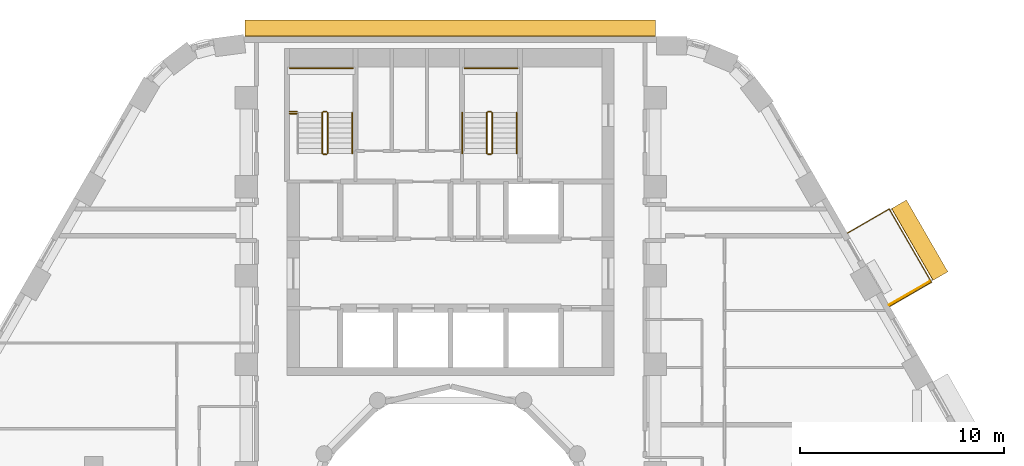
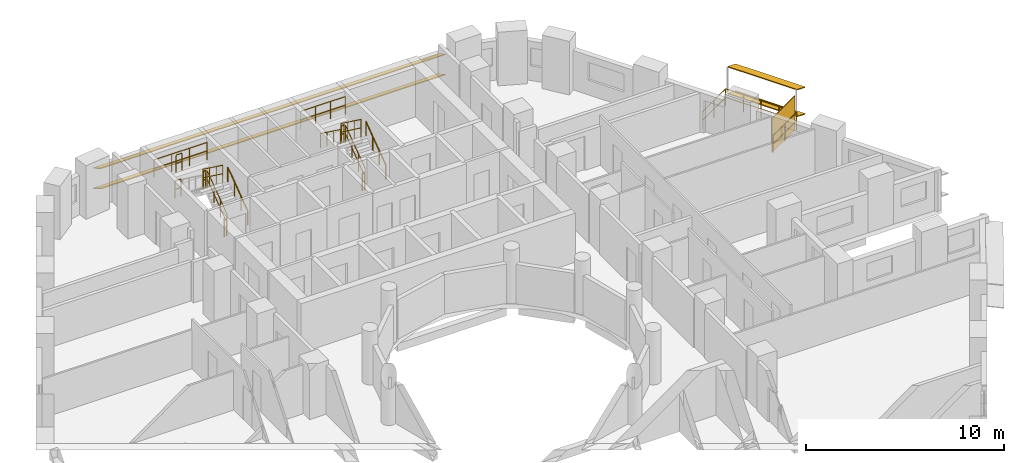
# One storey, part 13 of 13: 16 railings, 5 shading devices.
"""IFC4 building model written with IfcOpenShell, lengths in metres."""

from ifc_helpers import new_model, si_unit, direction, frame, origin, origin_2d, place, context, subcontext, project, spatial, rectangle, circle, extrude, material, layer, layer_set, material_profile, profile_set, type_object, element, save


model = new_model("IFC4")

# Units and contexts
model_context = context("Model", 3, precision=1e-05, world=origin(), true_north=direction((0.0, 1.0)))
body_context = subcontext(model_context, "Body", "Model", "MODEL_VIEW")
ifc_project = project(units=[si_unit("LENGTHUNIT", "METRE"), si_unit("AREAUNIT", "SQUARE_METRE"), si_unit("VOLUMEUNIT", "CUBIC_METRE"), si_unit("PLANEANGLEUNIT", "RADIAN"), si_unit("MASSUNIT", "GRAM", prefix="KILO")], contexts=[model_context])

# Site, building, storey
site_placement = place(None, origin())
site = spatial("IfcSite", under=ifc_project, at=site_placement, CompositionType="ELEMENT")
building_placement = place(site_placement, origin())
building = spatial("IfcBuilding", under=site, at=building_placement, Name="Nakaniwa Court", CompositionType="ELEMENT")
storey_placement = place(building_placement, frame((0.0, 0.0, 64.5)))
storey = spatial("IfcBuildingStorey", under=building, at=storey_placement, Name="L17", CompositionType="ELEMENT", Elevation=64.5)

# Railing
ifc_material_1 = material(Name="Black powder-coated steel flat bar balustrade S275", Category="steel")
railing_type_1 = type_object("IfcRailingType", Name="Black metal balcony guard 1100", PredefinedType="GUARDRAIL", material=ifc_material_1)
railing_1_placement = place(storey_placement, frame((101.480712890625, 90.794677734375, -0.050048828125)))
element("IfcRailing", 1, at=railing_1_placement, inside=storey, type_object=railing_type_1, Name="L17 balcony guard 01", PredefinedType="GUARDRAIL", context=body_context, shape_type="SweptSolid", body=[
    extrude(circle(Radius=0.02392578125, at=origin_2d()), frame((0.0, 0.0, 1.076171875), z_axis=(0.866025363618, 0.50000006957, 0.0), x_axis=(-0.50000006957, 0.866025363618, 0.0)), (0.0, 0.0, 1.0), 2.35986328125),
    extrude(circle(Radius=0.02392578125, at=origin_2d()), frame((0.0, 0.0, 0.550048828125), z_axis=(0.866025363618, 0.50000006957, 0.0), x_axis=(-0.50000006957, 0.866025363618, 0.0)), (0.0, 0.0, 1.0), 2.35986328125),
    extrude(circle(Radius=0.02392578125, at=origin_2d()), frame((2.043701171875, 1.179931640625, 1.076171875), z_axis=(-0.500000159503, 0.866025311695, 0.0), x_axis=(-0.866025311695, -0.500000159503, 0.0)), (0.0, 0.0, 1.0), 4.134765625),
    extrude(circle(Radius=0.02392578125, at=origin_2d()), frame((2.043701171875, 1.179931640625, 0.550048828125), z_axis=(-0.500000159503, 0.866025311695, 0.0), x_axis=(-0.866025311695, -0.500000159503, 0.0)), (0.0, 0.0, 1.0), 4.134765625),
    extrude(circle(Radius=0.02392578125, at=origin_2d()), frame((-0.023681640625, 4.7607421875, 1.076171875), z_axis=(-0.866006432019, -0.500032858622, 0.0), x_axis=(0.500032858622, -0.866006432019, 0.0)), (0.0, 0.0, 1.0), 2.360107421875),
    extrude(circle(Radius=0.02392578125, at=origin_2d()), frame((-0.023681640625, 4.7607421875, 0.550048828125), z_axis=(-0.866006432019, -0.500032858622, 0.0), x_axis=(0.500032858622, -0.866006432019, 0.0)), (0.0, 0.0, 1.0), 2.360107421875),
    extrude(circle(Radius=0.02099609375, at=origin_2d()), origin(), (0.0, 0.0, 1.0), 1.052001953125),
    extrude(circle(Radius=0.02099609375, at=origin_2d()), frame((1.02197265625, 0.58984375, 0.0)), (0.0, 0.0, 1.0), 1.052001953125),
    extrude(circle(Radius=0.02099609375, at=origin_2d()), frame((2.043701171875, 1.179931640625, 0.0)), (0.0, 0.0, 1.0), 1.052001953125),
    extrude(circle(Radius=0.02099609375, at=origin_2d()), frame((1.52685546875, 2.0751953125, 0.0)), (0.0, 0.0, 1.0), 1.052001953125),
    extrude(circle(Radius=0.02099609375, at=origin_2d()), frame((1.010009765625, 2.97021484375, 0.0)), (0.0, 0.0, 1.0), 1.052001953125),
    extrude(circle(Radius=0.02099609375, at=origin_2d()), frame((0.4931640625, 3.865478515625, 0.0)), (0.0, 0.0, 1.0), 1.052001953125),
    extrude(circle(Radius=0.02099609375, at=origin_2d()), frame((-0.023681640625, 4.7607421875, 0.0)), (0.0, 0.0, 1.0), 1.052001953125),
    extrude(circle(Radius=0.02099609375, at=origin_2d()), frame((-1.045654296875, 4.170654296875, 0.0)), (0.0, 0.0, 1.0), 1.052001953125),
    extrude(circle(Radius=0.02099609375, at=origin_2d()), frame((-2.067626953125, 3.58056640625, 0.0)), (0.0, 0.0, 1.0), 1.052001953125),
])

# Shading devices
ifc_material_2 = material(Name="Black powder-coated aluminium slat screen", Category="aluminium")
ifc_layer = layer(ifc_material_2, 0.0400390625)
ifc_layer_set = layer_set([ifc_layer], Name="Black powder-coated aluminium slat screen")
shading_device_type_1 = type_object("IfcShadingDeviceType", Name="Koshi screen black metal", PredefinedType="USERDEFINED", material=ifc_layer_set)
shading_device_placement = place(storey_placement, frame((102.44091796875, 91.44140625, -0.050048828125), z_axis=(0.0, 0.0, 1.0), x_axis=(-0.500004534492, 0.866022785779, 0.0)))
element("IfcShadingDevice", 2, at=shading_device_placement, inside=storey, type_object=shading_device_type_1, Name="L17 balcony SCREEN 01 W", ObjectType="KOSHI SCREEN", PredefinedType="USERDEFINED", context=body_context, shape_type="SweptSolid", body=[
    extrude(rectangle(XDim=0.0400390625, YDim=2.31005859375, at=origin_2d()), origin(), (0.0, 0.0, 1.0), 2.10009765625),
])
ifc_material_3 = material(Name="Perforated charcoal ceramic louvre blade")
ifc_material_profile = material_profile(ifc_material_3, rectangle(XDim=0.89990234375, YDim=0.050048828125, at=origin_2d()), Name="Perforated ceramic louvre blade")
ifc_profile_set = profile_set([ifc_material_profile], Name="Perforated charcoal ceramic louvre blade")
shading_device_type_2 = type_object("IfcShadingDeviceType", Name="Perforated ceramic louvre blade", PredefinedType="JALOUSIE", material=ifc_profile_set)
for number, where, z_axis, x_axis, name in (
    (3, (103.959228515625, 92.27197265625, 0.5), (-0.499998693927, 0.866026157845, 0.0), (-0.800103841852, -0.461938559601, 0.382683432365), "L17 perforated ceramic louvre blade 01 1"),
    (4, (103.959228515625, 92.27197265625, 2.14990234375), (-0.499998693927, 0.866026157845, 0.0), (-0.800103841852, -0.461938559601, 0.382683432365), "L17 perforated ceramic louvre blade 01 2"),
):
    element("IfcShadingDevice", number, at=place(storey_placement, frame(where, z_axis=z_axis, x_axis=x_axis)), inside=storey, type_object=shading_device_type_2, Name=name, PredefinedType="JALOUSIE", context=body_context, shape_type="SweptSolid", body=[
        extrude(rectangle(XDim=0.89990234375, YDim=0.050048828125, at=origin_2d()), origin(), (0.0, 0.0, 1.0), 4.0546875),
    ])
for number, where, z_axis, x_axis, name in (
    (5, (90.02880859375, 104.402099609375, 0.550048828125), (-1.0, 0.0, 0.0), (0.0, -0.866025403784, 0.5), "L17 perforated ceramic louvre blade w08 1"),
    (6, (90.02880859375, 104.402099609375, 1.793212890625), (-1.0, 0.0, 0.0), (0.0, -0.866025403784, 0.5), "L17 perforated ceramic louvre blade w08 2"),
):
    element("IfcShadingDevice", number, at=place(storey_placement, frame(where, z_axis=z_axis, x_axis=x_axis)), inside=storey, type_object=shading_device_type_2, Name=name, PredefinedType="JALOUSIE", context=body_context, shape_type="SweptSolid", body=[
        extrude(rectangle(XDim=0.89990234375, YDim=0.050048828125, at=origin_2d()), origin(), (0.0, 0.0, 1.0), 20.090576171875),
    ])

# Railings
ifc_material_4 = material(Name="Black powder coated steel guard", Category="steel")
railing_type_2 = type_object("IfcRailingType", Name="Stair guard 1100", PredefinedType="GUARDRAIL", material=ifc_material_4)
railing_2_placement = place(storey_placement, frame((73.97509765625, 98.27490234375, 0.183349609375)))
element("IfcRailing", 7, at=railing_2_placement, inside=storey, type_object=railing_type_2, Name="L17 ST1 stair guard 1", PredefinedType="GUARDRAIL", context=body_context, shape_type="SweptSolid", body=[
    extrude(circle(Radius=0.02392578125, at=origin_2d()), frame((0.0, 0.0, 1.076171875), z_axis=(0.0, 0.806426902644, 0.591333789573), x_axis=(-1.0, 0.0, 0.0)), (0.0, 0.0, 1.0), 2.47998046875),
    extrude(circle(Radius=0.02392578125, at=origin_2d()), frame((0.0, 0.0, 0.550048828125), z_axis=(0.0, 0.806426902644, 0.591333789573), x_axis=(-1.0, 0.0, 0.0)), (0.0, 0.0, 1.0), 2.47998046875),
    extrude(circle(Radius=0.02099609375, at=origin_2d()), origin(), (0.0, 0.0, 1.0), 1.052001953125),
    extrude(circle(Radius=0.02099609375, at=origin_2d()), frame((0.0, 0.666748046875, 0.48876953125)), (0.0, 0.0, 1.0), 1.052001953125),
    extrude(circle(Radius=0.02099609375, at=origin_2d()), frame((0.0, 1.333251953125, 0.977783203125)), (0.0, 0.0, 1.0), 1.052001953125),
    extrude(circle(Radius=0.02099609375, at=origin_2d()), frame((0.0, 2.0, 1.466552734375)), (0.0, 0.0, 1.0), 1.052001953125),
])
railing_3_placement = place(storey_placement, frame((73.925048828125, 100.324951171875, 1.64990234375)))
element("IfcRailing", 8, at=railing_3_placement, inside=storey, type_object=railing_type_2, Name="L17 ST1 stair guard 2", PredefinedType="GUARDRAIL", context=body_context, shape_type="SweptSolid", body=[
    extrude(circle(Radius=0.02392578125, at=origin_2d()), frame((0.0, 0.0, 1.076171875), z_axis=(-1.0, 0.0, 0.0), x_axis=(0.0, -1.0, 0.0)), (0.0, 0.0, 1.0), 0.150146484375),
    extrude(circle(Radius=0.02392578125, at=origin_2d()), frame((0.0, 0.0, 0.550048828125), z_axis=(-1.0, 0.0, 0.0), x_axis=(0.0, -1.0, 0.0)), (0.0, 0.0, 1.0), 0.150146484375),
    extrude(circle(Radius=0.02099609375, at=origin_2d()), origin(), (0.0, 0.0, 1.0), 1.052001953125),
    extrude(circle(Radius=0.02099609375, at=origin_2d()), frame((-0.150146484375, 0.0, 0.0)), (0.0, 0.0, 1.0), 1.052001953125),
])
railing_4_placement = place(storey_placement, frame((73.72509765625, 100.27490234375, 1.833251953125)))
element("IfcRailing", 9, at=railing_4_placement, inside=storey, type_object=railing_type_2, Name="L17 ST1 stair guard 3", PredefinedType="GUARDRAIL", context=body_context, shape_type="SweptSolid", body=[
    extrude(circle(Radius=0.02392578125, at=origin_2d()), frame((0.0, 0.0, 1.076171875), z_axis=(0.0, -0.806379959628, 0.591397802423), x_axis=(1.0, 0.0, 0.0)), (0.0, 0.0, 1.0), 2.480224609375),
    extrude(circle(Radius=0.02392578125, at=origin_2d()), frame((0.0, 0.0, 0.550048828125), z_axis=(0.0, -0.806379959628, 0.591397802423), x_axis=(1.0, 0.0, 0.0)), (0.0, 0.0, 1.0), 2.480224609375),
    extrude(circle(Radius=0.02099609375, at=origin_2d()), origin(), (0.0, 0.0, 1.0), 1.052001953125),
    extrude(circle(Radius=0.02099609375, at=origin_2d()), frame((0.0, -0.666748046875, 0.489013671875)), (0.0, 0.0, 1.0), 1.052001953125),
    extrude(circle(Radius=0.02099609375, at=origin_2d()), frame((0.0, -1.333251953125, 0.977783203125)), (0.0, 0.0, 1.0), 1.052001953125),
    extrude(circle(Radius=0.02099609375, at=origin_2d()), frame((0.0, -2.0, 1.466796875)), (0.0, 0.0, 1.0), 1.052001953125),
])
railing_5_placement = place(storey_placement, frame((73.925048828125, 98.22509765625, 0.0)))
element("IfcRailing", 10, at=railing_5_placement, inside=storey, type_object=railing_type_2, Name="L17 ST1 stair guard 4", PredefinedType="GUARDRAIL", context=body_context, shape_type="SweptSolid", body=[
    extrude(circle(Radius=0.02392578125, at=origin_2d()), frame((0.0, 0.0, 1.076171875), z_axis=(-1.0, 0.0, 0.0), x_axis=(0.0, -1.0, 0.0)), (0.0, 0.0, 1.0), 0.150146484375),
    extrude(circle(Radius=0.02392578125, at=origin_2d()), frame((0.0, 0.0, 0.550048828125), z_axis=(-1.0, 0.0, 0.0), x_axis=(0.0, -1.0, 0.0)), (0.0, 0.0, 1.0), 0.150146484375),
    extrude(circle(Radius=0.02099609375, at=origin_2d()), origin(), (0.0, 0.0, 1.0), 1.052001953125),
    extrude(circle(Radius=0.02099609375, at=origin_2d()), frame((-0.150146484375, 0.0, 0.0)), (0.0, 0.0, 1.0), 1.052001953125),
])
railing_6_placement = place(storey_placement, frame((72.125, 102.449951171875, 1.64990234375)))
element("IfcRailing", 11, at=railing_6_placement, inside=storey, type_object=railing_type_2, Name="L17 ST1 landing end guard 1", PredefinedType="GUARDRAIL", context=body_context, shape_type="SweptSolid", body=[
    extrude(circle(Radius=0.02392578125, at=origin_2d()), frame((0.0, 0.0, 1.076171875), z_axis=(1.0, 0.0, 0.0), x_axis=(0.0, 1.0, 0.0)), (0.0, 0.0, 1.0), 3.10009765625),
    extrude(circle(Radius=0.02392578125, at=origin_2d()), frame((0.0, 0.0, 0.550048828125), z_axis=(1.0, 0.0, 0.0), x_axis=(0.0, 1.0, 0.0)), (0.0, 0.0, 1.0), 3.10009765625),
    extrude(circle(Radius=0.02099609375, at=origin_2d()), origin(), (0.0, 0.0, 1.0), 1.052001953125),
    extrude(circle(Radius=0.02099609375, at=origin_2d()), frame((1.033447265625, 0.0, 0.0)), (0.0, 0.0, 1.0), 1.052001953125),
    extrude(circle(Radius=0.02099609375, at=origin_2d()), frame((2.066650390625, 0.0, 0.0)), (0.0, 0.0, 1.0), 1.052001953125),
    extrude(circle(Radius=0.02099609375, at=origin_2d()), frame((3.10009765625, 0.0, 0.0)), (0.0, 0.0, 1.0), 1.052001953125),
])
for number, where, name in (
    (12, (72.125, 100.324951171875, 1.64990234375), "L17 ST1 landing side guard 1W"),
    (13, (72.125, 100.22509765625, 3.300048828125), "L17 ST1 floor edge guard 1W"),
):
    element("IfcRailing", number, at=place(storey_placement, frame(where)), inside=storey, type_object=railing_type_2, Name=name, PredefinedType="GUARDRAIL", context=body_context, shape_type="SweptSolid", body=[
        extrude(circle(Radius=0.02392578125, at=origin_2d()), frame((0.0, 0.0, 1.076171875), z_axis=(1.0, 0.0, 0.0), x_axis=(0.0, 1.0, 0.0)), (0.0, 0.0, 1.0), 0.35009765625),
        extrude(circle(Radius=0.02392578125, at=origin_2d()), frame((0.0, 0.0, 0.550048828125), z_axis=(1.0, 0.0, 0.0), x_axis=(0.0, 1.0, 0.0)), (0.0, 0.0, 1.0), 0.35009765625),
        extrude(circle(Radius=0.02099609375, at=origin_2d()), origin(), (0.0, 0.0, 1.0), 1.052001953125),
        extrude(circle(Radius=0.02099609375, at=origin_2d()), frame((0.35009765625, 0.0, 0.0)), (0.0, 0.0, 1.0), 1.052001953125),
    ])
railing_7_placement = place(storey_placement, frame((82.02490234375, 98.27490234375, 0.183349609375)))
element("IfcRailing", 14, at=railing_7_placement, inside=storey, type_object=railing_type_2, Name="L17 ST2 stair guard 1", PredefinedType="GUARDRAIL", context=body_context, shape_type="SweptSolid", body=[
    extrude(circle(Radius=0.02392578125, at=origin_2d()), frame((0.0, 0.0, 1.076171875), z_axis=(0.0, 0.806426902644, 0.591333789573), x_axis=(-1.0, 0.0, 0.0)), (0.0, 0.0, 1.0), 2.47998046875),
    extrude(circle(Radius=0.02392578125, at=origin_2d()), frame((0.0, 0.0, 0.550048828125), z_axis=(0.0, 0.806426902644, 0.591333789573), x_axis=(-1.0, 0.0, 0.0)), (0.0, 0.0, 1.0), 2.47998046875),
    extrude(circle(Radius=0.02099609375, at=origin_2d()), origin(), (0.0, 0.0, 1.0), 1.052001953125),
    extrude(circle(Radius=0.02099609375, at=origin_2d()), frame((0.0, 0.666748046875, 0.48876953125)), (0.0, 0.0, 1.0), 1.052001953125),
    extrude(circle(Radius=0.02099609375, at=origin_2d()), frame((0.0, 1.333251953125, 0.977783203125)), (0.0, 0.0, 1.0), 1.052001953125),
    extrude(circle(Radius=0.02099609375, at=origin_2d()), frame((0.0, 2.0, 1.466552734375)), (0.0, 0.0, 1.0), 1.052001953125),
])
railing_8_placement = place(storey_placement, frame((81.97509765625, 100.324951171875, 1.64990234375)))
element("IfcRailing", 15, at=railing_8_placement, inside=storey, type_object=railing_type_2, Name="L17 ST2 stair guard 2", PredefinedType="GUARDRAIL", context=body_context, shape_type="SweptSolid", body=[
    extrude(circle(Radius=0.02392578125, at=origin_2d()), frame((0.0, 0.0, 1.076171875), z_axis=(-1.0, 0.0, 0.0), x_axis=(0.0, -1.0, 0.0)), (0.0, 0.0, 1.0), 0.150146484375),
    extrude(circle(Radius=0.02392578125, at=origin_2d()), frame((0.0, 0.0, 0.550048828125), z_axis=(-1.0, 0.0, 0.0), x_axis=(0.0, -1.0, 0.0)), (0.0, 0.0, 1.0), 0.150146484375),
    extrude(circle(Radius=0.02099609375, at=origin_2d()), origin(), (0.0, 0.0, 1.0), 1.052001953125),
    extrude(circle(Radius=0.02099609375, at=origin_2d()), frame((-0.150146484375, 0.0, 0.0)), (0.0, 0.0, 1.0), 1.052001953125),
])
railing_9_placement = place(storey_placement, frame((81.77490234375, 100.27490234375, 1.833251953125)))
element("IfcRailing", 16, at=railing_9_placement, inside=storey, type_object=railing_type_2, Name="L17 ST2 stair guard 3", PredefinedType="GUARDRAIL", context=body_context, shape_type="SweptSolid", body=[
    extrude(circle(Radius=0.02392578125, at=origin_2d()), frame((0.0, 0.0, 1.076171875), z_axis=(0.0, -0.806379959628, 0.591397802423), x_axis=(1.0, 0.0, 0.0)), (0.0, 0.0, 1.0), 2.480224609375),
    extrude(circle(Radius=0.02392578125, at=origin_2d()), frame((0.0, 0.0, 0.550048828125), z_axis=(0.0, -0.806379959628, 0.591397802423), x_axis=(1.0, 0.0, 0.0)), (0.0, 0.0, 1.0), 2.480224609375),
    extrude(circle(Radius=0.02099609375, at=origin_2d()), origin(), (0.0, 0.0, 1.0), 1.052001953125),
    extrude(circle(Radius=0.02099609375, at=origin_2d()), frame((0.0, -0.666748046875, 0.489013671875)), (0.0, 0.0, 1.0), 1.052001953125),
    extrude(circle(Radius=0.02099609375, at=origin_2d()), frame((0.0, -1.333251953125, 0.977783203125)), (0.0, 0.0, 1.0), 1.052001953125),
    extrude(circle(Radius=0.02099609375, at=origin_2d()), frame((0.0, -2.0, 1.466796875)), (0.0, 0.0, 1.0), 1.052001953125),
])
railing_10_placement = place(storey_placement, frame((81.97509765625, 98.22509765625, 0.0)))
element("IfcRailing", 17, at=railing_10_placement, inside=storey, type_object=railing_type_2, Name="L17 ST2 stair guard 4", PredefinedType="GUARDRAIL", context=body_context, shape_type="SweptSolid", body=[
    extrude(circle(Radius=0.02392578125, at=origin_2d()), frame((0.0, 0.0, 1.076171875), z_axis=(-1.0, 0.0, 0.0), x_axis=(0.0, -1.0, 0.0)), (0.0, 0.0, 1.0), 0.150146484375),
    extrude(circle(Radius=0.02392578125, at=origin_2d()), frame((0.0, 0.0, 0.550048828125), z_axis=(-1.0, 0.0, 0.0), x_axis=(0.0, -1.0, 0.0)), (0.0, 0.0, 1.0), 0.150146484375),
    extrude(circle(Radius=0.02099609375, at=origin_2d()), origin(), (0.0, 0.0, 1.0), 1.052001953125),
    extrude(circle(Radius=0.02099609375, at=origin_2d()), frame((-0.150146484375, 0.0, 0.0)), (0.0, 0.0, 1.0), 1.052001953125),
])
railing_11_placement = place(storey_placement, frame((80.675048828125, 102.449951171875, 1.64990234375)))
element("IfcRailing", 18, at=railing_11_placement, inside=storey, type_object=railing_type_2, Name="L17 ST2 landing end guard 1", PredefinedType="GUARDRAIL", context=body_context, shape_type="SweptSolid", body=[
    extrude(circle(Radius=0.02392578125, at=origin_2d()), frame((0.0, 0.0, 1.076171875), z_axis=(1.0, 0.0, 0.0), x_axis=(0.0, 1.0, 0.0)), (0.0, 0.0, 1.0), 2.599853515625),
    extrude(circle(Radius=0.02392578125, at=origin_2d()), frame((0.0, 0.0, 0.550048828125), z_axis=(1.0, 0.0, 0.0), x_axis=(0.0, 1.0, 0.0)), (0.0, 0.0, 1.0), 2.599853515625),
    extrude(circle(Radius=0.02099609375, at=origin_2d()), origin(), (0.0, 0.0, 1.0), 1.052001953125),
    extrude(circle(Radius=0.02099609375, at=origin_2d()), frame((0.86669921875, 0.0, 0.0)), (0.0, 0.0, 1.0), 1.052001953125),
    extrude(circle(Radius=0.02099609375, at=origin_2d()), frame((1.733154296875, 0.0, 0.0)), (0.0, 0.0, 1.0), 1.052001953125),
    extrude(circle(Radius=0.02099609375, at=origin_2d()), frame((2.599853515625, 0.0, 0.0)), (0.0, 0.0, 1.0), 1.052001953125),
])
ifc_material_5 = material(Name="Black powder coated steel handrail", Category="steel")
railing_type_3 = type_object("IfcRailingType", Name="Stair handrail 900", PredefinedType="HANDRAIL", material=ifc_material_5)
for number, where, name in (
    (19, (75.175048828125, 98.27490234375, 0.183349609375), "L17 ST1 stair handrail 1"),
    (20, (83.22509765625, 98.27490234375, 0.183349609375), "L17 ST2 stair handrail 1"),
):
    element("IfcRailing", number, at=place(storey_placement, frame(where)), inside=storey, type_object=railing_type_3, Name=name, PredefinedType="HANDRAIL", context=body_context, shape_type="SweptSolid", body=[
        extrude(circle(Radius=0.02392578125, at=origin_2d()), frame((0.0, 0.0, 0.8759765625), z_axis=(0.0, 0.806426902644, 0.591333789573), x_axis=(-1.0, 0.0, 0.0)), (0.0, 0.0, 1.0), 2.47998046875),
        extrude(circle(Radius=0.02099609375, at=origin_2d()), origin(), (0.0, 0.0, 1.0), 0.851806640625),
        extrude(circle(Radius=0.02099609375, at=origin_2d()), frame((0.0, 0.666748046875, 0.48876953125)), (0.0, 0.0, 1.0), 0.851806640625),
        extrude(circle(Radius=0.02099609375, at=origin_2d()), frame((0.0, 1.333251953125, 0.977783203125)), (0.0, 0.0, 1.0), 0.851806640625),
        extrude(circle(Radius=0.02099609375, at=origin_2d()), frame((0.0, 2.0, 1.466552734375)), (0.0, 0.0, 1.0), 0.851806640625),
    ])
railing_12_placement = place(storey_placement, frame((80.574951171875, 100.27490234375, 1.833251953125)))
element("IfcRailing", 21, at=railing_12_placement, inside=storey, type_object=railing_type_3, Name="L17 ST2 stair handrail 2", PredefinedType="HANDRAIL", context=body_context, shape_type="SweptSolid", body=[
    extrude(circle(Radius=0.02392578125, at=origin_2d()), frame((0.0, 0.0, 0.8759765625), z_axis=(0.0, -0.806379959628, 0.591397802423), x_axis=(1.0, 0.0, 0.0)), (0.0, 0.0, 1.0), 2.480224609375),
    extrude(circle(Radius=0.02099609375, at=origin_2d()), origin(), (0.0, 0.0, 1.0), 0.851806640625),
    extrude(circle(Radius=0.02099609375, at=origin_2d()), frame((0.0, -0.666748046875, 0.489013671875)), (0.0, 0.0, 1.0), 0.851806640625),
    extrude(circle(Radius=0.02099609375, at=origin_2d()), frame((0.0, -1.333251953125, 0.977783203125)), (0.0, 0.0, 1.0), 0.851806640625),
    extrude(circle(Radius=0.02099609375, at=origin_2d()), frame((0.0, -2.0, 1.466796875)), (0.0, 0.0, 1.0), 0.851806640625),
])

save(model, "model.ifc")
